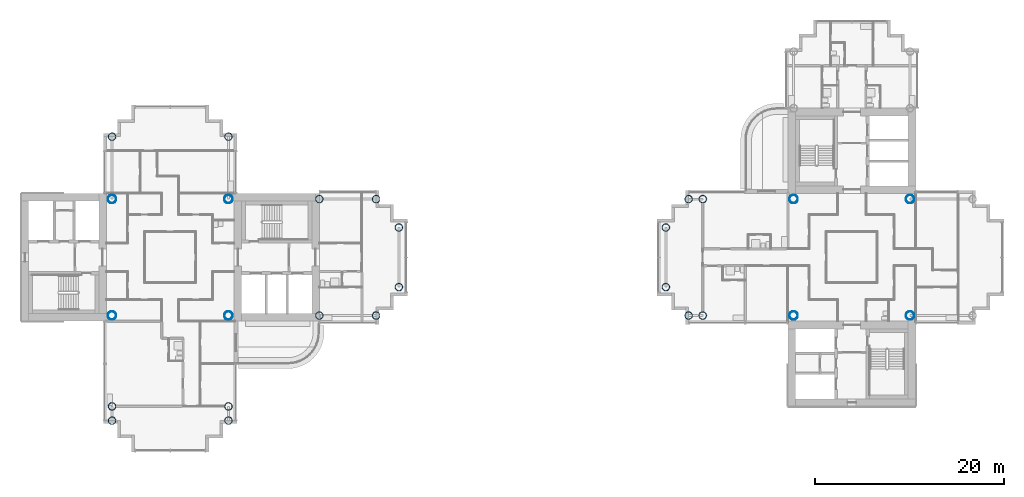
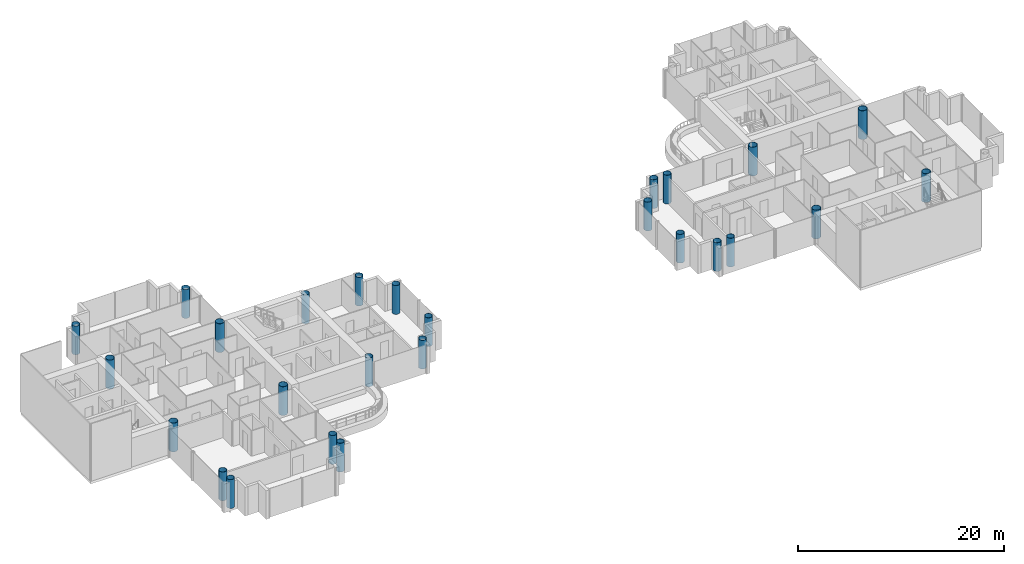
# One storey, part 1 of 20: 26 columns.
"""IFC4 building model written with IfcOpenShell, lengths in metres."""

import ifcopenshell
import ifcopenshell.guid

model = None  # the IFC model being written
_history = None  # IfcOwnerHistory: only IFC2X3 demands one
_inside = {}  # id of a spatial element -> (the spatial element, [elements in it])
_under = {}  # id of a project, library or spatial element -> (it, [spatial elements below it])
_declared = {}  # id of a project -> (the project, [libraries it declares])
_typed = {}  # id of a type object -> (the type object, [elements of that type])
_made_of = {}  # id of a material, layer set ... -> (it, [elements and type objects made of it])


def new_model(schema):
    """Start an empty IFC model of exactly this schema.

    Asked for "IFC4X3", IfcOpenShell would pick the latest addendum, in which some entities
    have other attributes; the version numbers below select the first issue.
    IFC2X3 requires an IfcOwnerHistory on every rooted entity: one is made here for all.
    """
    global model, _history
    if schema == "IFC4X3":
        model = ifcopenshell.file(schema_version=(4, 3, 0, 0))
    else:
        model = ifcopenshell.file(schema=schema)
    _inside.clear()
    _under.clear()
    _declared.clear()
    _typed.clear()
    _made_of.clear()
    _history = None
    if model.schema == "IFC2X3":
        org = make("IfcOrganization", Name="unknown")
        user = make(
            "IfcPersonAndOrganization",
            ThePerson=make("IfcPerson", FamilyName="unknown"),
            TheOrganization=org,
        )
        app = make(
            "IfcApplication",
            ApplicationDeveloper=org,
            Version="unknown",
            ApplicationFullName="unknown",
            ApplicationIdentifier="unknown",
        )
        _history = make(
            "IfcOwnerHistory",
            OwningUser=user,
            OwningApplication=app,
            ChangeAction="ADDED",
            CreationDate=0,
        )
    return model


def make(cls, **values):
    """One entity of the class cls with the attributes given. An attribute that is None is left unset."""
    return model.create_entity(
        cls, **{name: value for name, value in values.items() if value is not None}
    )


def rooted(cls, **values):
    """An entity with a GlobalId (a new one), such as an element, a storey or a relation."""
    return make(cls, GlobalId=ifcopenshell.guid.new(), OwnerHistory=_history, **values)


def si_unit(unit_type, name, prefix=None):
    """IfcSIUnit, for example si_unit("LENGTHUNIT", "METRE", prefix="MILLI")."""
    return make("IfcSIUnit", UnitType=unit_type, Prefix=prefix, Name=name)


def assignment(units):
    """IfcUnitAssignment: the units of a project."""
    return None if units is None else make("IfcUnitAssignment", Units=units)


def point(xyz):
    """IfcCartesianPoint."""
    return None if xyz is None else make("IfcCartesianPoint", Coordinates=xyz)


def direction(xyz):
    """IfcDirection."""
    return None if xyz is None else make("IfcDirection", DirectionRatios=xyz)


def frame(location, z_axis=None, x_axis=None):
    """IfcAxis2Placement3D, a coordinate frame: its origin and axes. An axis left out is left unset."""
    return make(
        "IfcAxis2Placement3D",
        Location=point(location),
        Axis=direction(z_axis),
        RefDirection=direction(x_axis),
    )


def frame_2d(location, x_axis=None):
    """IfcAxis2Placement2D, a coordinate frame in the plane: its origin and x axis."""
    return make(
        "IfcAxis2Placement2D", Location=point(location), RefDirection=direction(x_axis)
    )


def origin():
    """The frame at (0, 0, 0) with its axes left unset."""
    return frame((0.0, 0.0, 0.0))


def origin_2d():
    """The frame at (0, 0) in the plane with its x axis left unset."""
    return frame_2d((0.0, 0.0))


def place(relative_to, where):
    """IfcLocalPlacement: puts the frame where relative to a parent placement (None: the world)."""
    return make(
        "IfcLocalPlacement", PlacementRelTo=relative_to, RelativePlacement=where
    )


def context(
    kind, dimensions, precision=None, world=None, true_north=None, identifier=None
):
    """IfcGeometricRepresentationContext, for example the 3D "Model" context."""
    return make(
        "IfcGeometricRepresentationContext",
        ContextIdentifier=identifier,
        ContextType=kind,
        CoordinateSpaceDimension=dimensions,
        Precision=precision,
        WorldCoordinateSystem=world,
        TrueNorth=true_north,
    )


def subcontext(parent, identifier, kind, view, scale=None):
    """IfcGeometricRepresentationSubContext, for example "Body" below "Model"."""
    return make(
        "IfcGeometricRepresentationSubContext",
        ContextIdentifier=identifier,
        ContextType=kind,
        ParentContext=parent,
        TargetScale=scale,
        TargetView=view,
    )


def project(units=None, contexts=None):
    """IfcProject with its units and contexts."""
    return rooted(
        "IfcProject",
        Name="project",
        RepresentationContexts=contexts,
        UnitsInContext=assignment(units),
    )


def spatial(cls, under=None, at=None, **own):
    """A site, building, storey or space (cls), placed at a placement, below another one or the project."""
    s = rooted(cls, ObjectPlacement=at, **own)
    if under is not None:
        _under.setdefault(under.id(), (under, []))[1].append(s)
    return s


def profile(cls, at=None, kind="AREA", **sizes):
    """A parametric profile (cls). Its sizes go by their IFC names, for example OverallWidth=200.0."""
    return make(cls, ProfileType=kind, Position=at, **sizes)


def hollow_circle(**sizes):
    """IfcCircleHollowProfileDef."""
    return profile("IfcCircleHollowProfileDef", **sizes)


def extrude(swept, where, along, depth):
    """IfcExtrudedAreaSolid: the profile swept, set in the frame where, extruded along a direction by depth."""
    return make(
        "IfcExtrudedAreaSolid",
        SweptArea=swept,
        Position=where,
        ExtrudedDirection=direction(along),
        Depth=depth,
    )


def shape(context_of_items, identifier, shape_type, items):
    """IfcShapeRepresentation: the items that make up one representation, for example the "Body"."""
    return make(
        "IfcShapeRepresentation",
        ContextOfItems=context_of_items,
        RepresentationIdentifier=identifier,
        RepresentationType=shape_type,
        Items=items,
    )


def material(Name=None, Category=None):
    """IfcMaterial."""
    return make("IfcMaterial", Name=Name, Category=Category)


def material_profile(
    of_material, cross_section, Name=None, Category=None, Priority=None
):
    """IfcMaterialProfile: a cross section and its material."""
    return make(
        "IfcMaterialProfile",
        Name=Name,
        Material=of_material,
        Profile=cross_section,
        Priority=Priority,
        Category=Category,
    )


def profile_set(profiles, Name=None, composite=None):
    """IfcMaterialProfileSet."""
    return make(
        "IfcMaterialProfileSet",
        Name=Name,
        MaterialProfiles=profiles,
        CompositeProfile=composite,
    )


def made_of(thing, what):
    """Note that an element or type object is made of a material, layer set ...; save() writes the relation."""
    if what is not None:
        _made_of.setdefault(what.id(), (what, []))[1].append(thing)
    return thing


def type_object(cls, material=None, **own):
    """A type object (cls), such as IfcWallType, which elements share."""
    return made_of(rooted(cls, **own), material)


def element(
    cls,
    number,
    at=None,
    inside=None,
    cuts=None,
    type_object=None,
    material=None,
    context=None,
    identifier="Body",
    shape_type=None,
    held_by="IfcProductDefinitionShape",
    body=None,
    shapes=None,
    **own,
):
    """One element of the class cls, such as IfcWall. Its Tag is "e" and its number.

    at: its placement. inside: the storey or other place that contains it. cuts: it is an
    opening in that element (IfcRelVoidsElement). A single representation is given by context,
    identifier, shape_type and body (its items); several are given by shapes. held_by: the class
    of the entity that holds the representations. save() writes the other relations.
    """
    e = rooted(cls, Tag="e%d" % number, ObjectPlacement=at, **own)
    if body is not None:
        shapes = [shape(context, identifier, shape_type, body)]
    if shapes is not None:
        e.Representation = make(held_by, Representations=shapes)
    if inside is not None:
        _inside.setdefault(inside.id(), (inside, []))[1].append(e)
    if cuts is not None:
        rooted(
            "IfcRelVoidsElement", RelatingBuildingElement=cuts, RelatedOpeningElement=e
        )
    if type_object is not None:
        _typed.setdefault(type_object.id(), (type_object, []))[1].append(e)
    return made_of(e, material)


def aggregate(whole, parts):
    """IfcRelAggregates: a whole, such as a stair, and the parts it consists of."""
    return rooted("IfcRelAggregates", RelatingObject=whole, RelatedObjects=parts)


def save(model, path):
    """Write the relations noted so far, then the file.

    IfcRelAggregates (storeys below a building ...), IfcRelContainedInSpatialStructure (elements
    in a storey), IfcRelDefinesByType, IfcRelAssociatesMaterial and IfcRelDeclares: one each for
    every whole, place, type object, material and project.
    """
    for whole, parts in _under.values():
        aggregate(whole, parts)
    for where, things in _inside.values():
        rooted(
            "IfcRelContainedInSpatialStructure",
            RelatedElements=things,
            RelatingStructure=where,
        )
    for kind, things in _typed.values():
        rooted("IfcRelDefinesByType", RelatedObjects=things, RelatingType=kind)
    for what, things in _made_of.values():
        rooted("IfcRelAssociatesMaterial", RelatedObjects=things, RelatingMaterial=what)
    for by, libraries in _declared.values():
        rooted("IfcRelDeclares", RelatingContext=by, RelatedDefinitions=libraries)
    model.write(path)


model = new_model("IFC4")

# Units and contexts
model_context = context("Model", 3, precision=1e-05, world=origin(), true_north=direction((0.0, 1.0)))
body_context = subcontext(model_context, "Body", "Model", "MODEL_VIEW")
ifc_project = project(units=[si_unit("LENGTHUNIT", "METRE"), si_unit("AREAUNIT", "SQUARE_METRE"), si_unit("VOLUMEUNIT", "CUBIC_METRE"), si_unit("PLANEANGLEUNIT", "RADIAN"), si_unit("MASSUNIT", "GRAM", prefix="KILO")], contexts=[model_context])

# Site, building, storey
site_placement = place(None, origin())
site = spatial("IfcSite", under=ifc_project, at=site_placement, CompositionType="ELEMENT")
building_placement = place(site_placement, origin())
building = spatial("IfcBuilding", under=site, at=building_placement, Name="Ipe Terrace Towers", CompositionType="ELEMENT")
storey_placement = place(building_placement, frame((0.0, 0.0, 167.699951171875)))
storey = spatial("IfcBuildingStorey", under=building, at=storey_placement, Name="L46", CompositionType="ELEMENT", Elevation=167.699951171875)

# Columns
ifc_material_1 = material(Name="Steel S355 tube with Concrete C60/75 fill", Category="concrete")
ifc_material_profile_1 = material_profile(ifc_material_1, hollow_circle(Radius=0.39990234375, WallThickness=0.028076171875, at=origin_2d()), Name="CHS-800x28")
ifc_profile_set_1 = profile_set([ifc_material_profile_1], Name="Steel S355 tube with Concrete C60/75 fill")
column_type_1 = type_object("IfcColumnType", Name="CH09 COLUMN CHS-800x28", PredefinedType="COLUMN", material=ifc_profile_set_1)
for number, where, z_axis, x_axis, name in (
    (1, (-20.25, -6.14990234375, 0.0), (0.0, 0.0, 1.0), (1.0, 0.0, 0.0), "Column T1-C-A01"),
    (2, (-20.25, 6.14990234375, 0.0), (0.0, 0.0, 1.0), (1.0, 0.0, 0.0), "Column T1-C-A02"),
    (3, (-14.25, -6.14990234375, 0.0), (0.0, 0.0, 1.0), (1.0, 0.0, 0.0), "Column T1-C-A03"),
    (4, (-14.25, 6.14990234375, 0.0), (0.0, 0.0, 1.0), (1.0, 0.0, 0.0), "Column T1-C-A04"),
    (5, (-11.85009765625, -3.14990234375, 0.0), (0.0, 0.0, 1.0), (1.0, 0.0, 0.0), "Column T1-C-A05"),
    (6, (-11.85009765625, 3.14990234375, 0.0), (0.0, 0.0, 1.0), (1.0, 0.0, 0.0), "Column T1-C-A06"),
    (7, (-29.85009765625, 12.75, 0.0), (0.0, 0.0, 1.0), (1.0, 0.0, 0.0), "Column T1-C-B01"),
    (8, (-42.14990234375, 12.75, 0.0), (0.0, 0.0, 1.0), (1.0, 0.0, 0.0), "Column T1-C-B02"),
    (9, (-42.14990234375, -15.75, 0.0), (0.0, 0.0, 1.0), (1.0, 0.0, 0.0), "Column T1-C-D03"),
    (10, (-29.85009765625, -15.75, 0.0), (0.0, 0.0, 1.0), (1.0, 0.0, 0.0), "Column T1-C-D04"),
    (11, (-42.14990234375, -17.25, 0.0), (0.0, 0.0, 1.0), (1.0, 0.0, 0.0), "Column T1-C-D05"),
    (12, (-29.85009765625, -17.25, 0.0), (0.0, 0.0, 1.0), (1.0, 0.0, 0.0), "Column T1-C-D06"),
    (13, (20.25, 6.14990234375, 0.0), (0.0, 0.0, 1.0), (1.0, 0.0, 0.0), "Column T2-C-B03"),
    (14, (20.25, -6.14990234375, 0.0), (0.0, 0.0, 1.0), (1.0, 0.0, 0.0), "Column T2-C-B04"),
    (15, (18.75, 6.14990234375, 0.0), (0.0, 0.0, 1.0), (1.0, 0.0, 0.0), "Column T2-C-B05"),
    (16, (18.75, -6.14990234375, 0.0), (0.0, 0.0, 1.0), (1.0, 0.0, 0.0), "Column T2-C-B06"),
    (17, (16.35009765625, 3.14990234375, 0.0), (0.0, 0.0, 1.0), (1.0, 0.0, 0.0), "Column T2-C-B07"),
    (18, (16.35009765625, -3.14990234375, 0.0), (0.0, 0.0, 1.0), (1.0, 0.0, 0.0), "Column T2-C-B08"),
):
    element("IfcColumn", number, at=place(storey_placement, frame(where, z_axis=z_axis, x_axis=x_axis)), inside=storey, type_object=column_type_1, Name=name, PredefinedType="COLUMN", context=body_context, shape_type="SweptSolid", body=[
        extrude(hollow_circle(Radius=0.39990234375, WallThickness=0.028076171875, at=origin_2d()), origin(), (0.0, 0.0, 1.0), 3.400146484375),
    ])
ifc_material_2 = material(Name="Steel S355 tube with Concrete C60/75 fill", Category="concrete")
ifc_material_profile_2 = material_profile(ifc_material_2, hollow_circle(Radius=0.449951171875, WallThickness=0.031982421875, at=origin_2d()), Name="CHS-900x32")
ifc_profile_set_2 = profile_set([ifc_material_profile_2], Name="Steel S355 tube with Concrete C60/75 fill")
column_type_2 = type_object("IfcColumnType", Name="CH10 COLUMN CHS-900x32", PredefinedType="COLUMN", material=ifc_profile_set_2)
for number, where, z_axis, x_axis, name in (
    (19, (-42.14990234375, -6.14990234375, 0.0), (0.0, 0.0, 1.0), (1.0, 0.0, 0.0), "Column T1-C-E01"),
    (20, (-29.85009765625, -6.14990234375, 0.0), (0.0, 0.0, 1.0), (1.0, 0.0, 0.0), "Column T1-C-E02"),
    (21, (-29.85009765625, 6.14990234375, 0.0), (0.0, 0.0, 1.0), (1.0, 0.0, 0.0), "Column T1-C-E03"),
    (22, (-42.14990234375, 6.14990234375, 0.0), (0.0, 0.0, 1.0), (1.0, 0.0, 0.0), "Column T1-C-E04"),
    (23, (42.14990234375, -6.14990234375, 0.0), (0.0, 0.0, 1.0), (1.0, 0.0, 0.0), "Column T2-C-E01"),
    (24, (42.14990234375, 6.14990234375, 0.0), (0.0, 0.0, 1.0), (1.0, 0.0, 0.0), "Column T2-C-E02"),
    (25, (29.85009765625, 6.14990234375, 0.0), (0.0, 0.0, 1.0), (1.0, 0.0, 0.0), "Column T2-C-E03"),
    (26, (29.85009765625, -6.14990234375, 0.0), (0.0, 0.0, 1.0), (1.0, 0.0, 0.0), "Column T2-C-E04"),
):
    element("IfcColumn", number, at=place(storey_placement, frame(where, z_axis=z_axis, x_axis=x_axis)), inside=storey, type_object=column_type_2, Name=name, PredefinedType="COLUMN", context=body_context, shape_type="SweptSolid", body=[
        extrude(hollow_circle(Radius=0.449951171875, WallThickness=0.031982421875, at=origin_2d()), origin(), (0.0, 0.0, 1.0), 3.400146484375),
    ])

save(model, "model.ifc")
